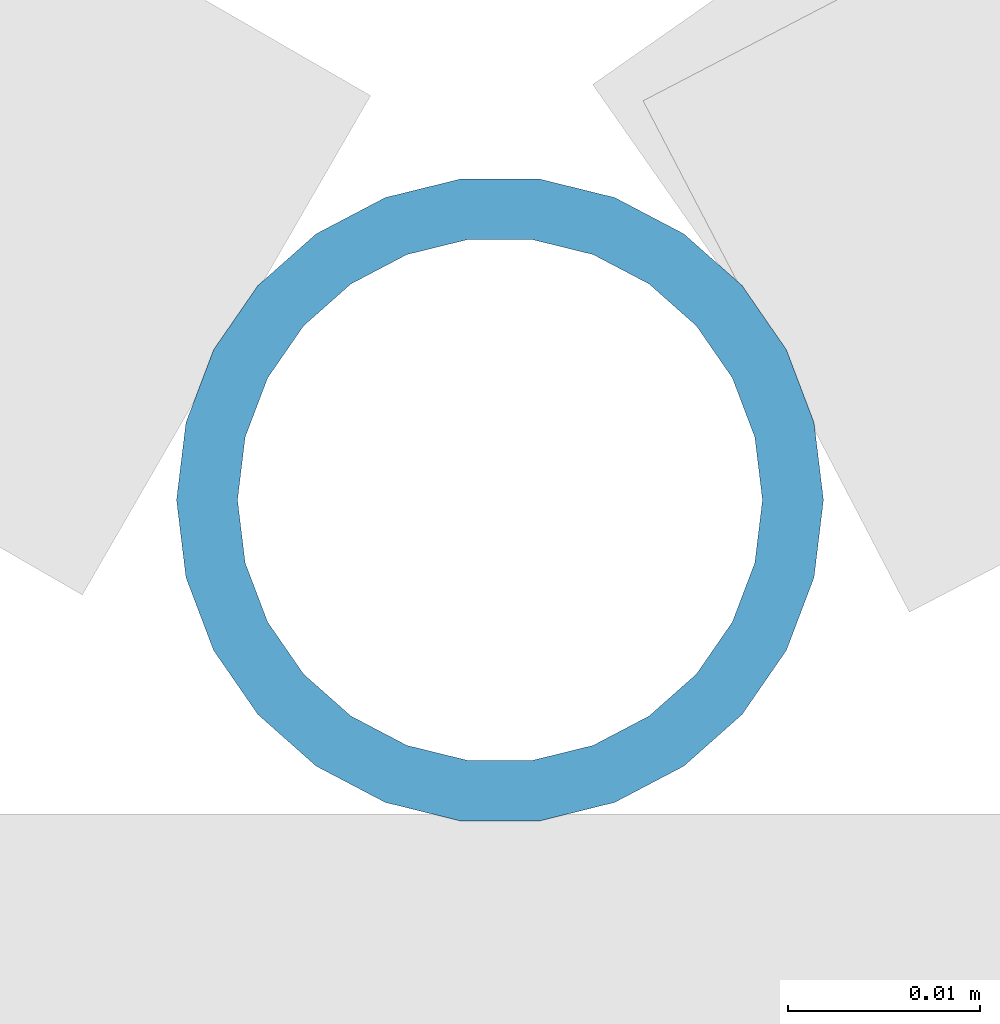
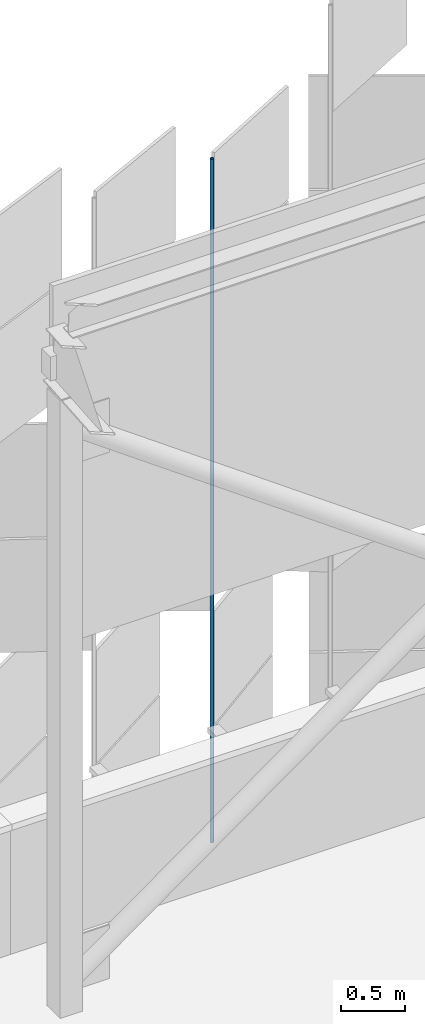
# One storey, part 370 of 483: 1 discrete accessory.
"""IFC4 building model written with IfcOpenShell, lengths in metres."""

from ifc_helpers import new_model, si_unit, direction, frame, origin, origin_2d, place, context, subcontext, project, spatial, hollow_circle, extrude, material, material_profile, profile_set, type_object, element, save


model = new_model("IFC4")

# Units and contexts
model_context = context("Model", 3, precision=1e-05, world=origin(), true_north=direction((0.0, 1.0)))
body_context = subcontext(model_context, "Body", "Model", "MODEL_VIEW")
ifc_project = project(units=[si_unit("LENGTHUNIT", "METRE"), si_unit("AREAUNIT", "SQUARE_METRE"), si_unit("VOLUMEUNIT", "CUBIC_METRE"), si_unit("PLANEANGLEUNIT", "RADIAN"), si_unit("MASSUNIT", "GRAM", prefix="KILO")], contexts=[model_context])

# Site, building, storey
site_placement = place(None, origin())
site = spatial("IfcSite", under=ifc_project, at=site_placement, CompositionType="ELEMENT")
building_placement = place(site_placement, origin())
building = spatial("IfcBuilding", under=site, at=building_placement, Name="Parallax Yard Mobility Hub", CompositionType="ELEMENT")
storey_placement = place(building_placement, frame((0.0, 0.0, 13.199951171875)))
storey = spatial("IfcBuildingStorey", under=building, at=storey_placement, Name="L04", CompositionType="ELEMENT", Elevation=13.199951171875)

# Discrete accessory
ifc_material = material(Name="Steel ASTM A500 Gr C, hot-dip galvanised", Category="steel")
ifc_material_profile = material_profile(ifc_material, hollow_circle(Radius=0.016845703125, WallThickness=0.003173828125, at=origin_2d()), Name="CHS 33.7x3.2")
ifc_profile_set = profile_set([ifc_material_profile], Name="Steel ASTM A500 Gr C, hot-dip galvanised")
discrete_accessory_type = type_object("IfcDiscreteAccessoryType", Name="Hinge post CHS 33.7x3.2", PredefinedType="BRACKET", material=ifc_profile_set)
discrete_accessory_placement = place(storey_placement, frame((152.142333984375, 142.800048828125, 0.0), z_axis=(0.0, 0.0, 1.0), x_axis=(1.0, 0.0, 0.0)))
element("IfcDiscreteAccessory", 1, at=discrete_accessory_placement, inside=storey, type_object=discrete_accessory_type, Name="Hinge post bay 53.6 level L04", PredefinedType="BRACKET", context=body_context, shape_type="SweptSolid", body=[
    extrude(hollow_circle(Radius=0.016845703125, WallThickness=0.003173828125, at=origin_2d()), origin(), (0.0, 0.0, 1.0), 6.550048828125),
])

save(model, "model.ifc")
